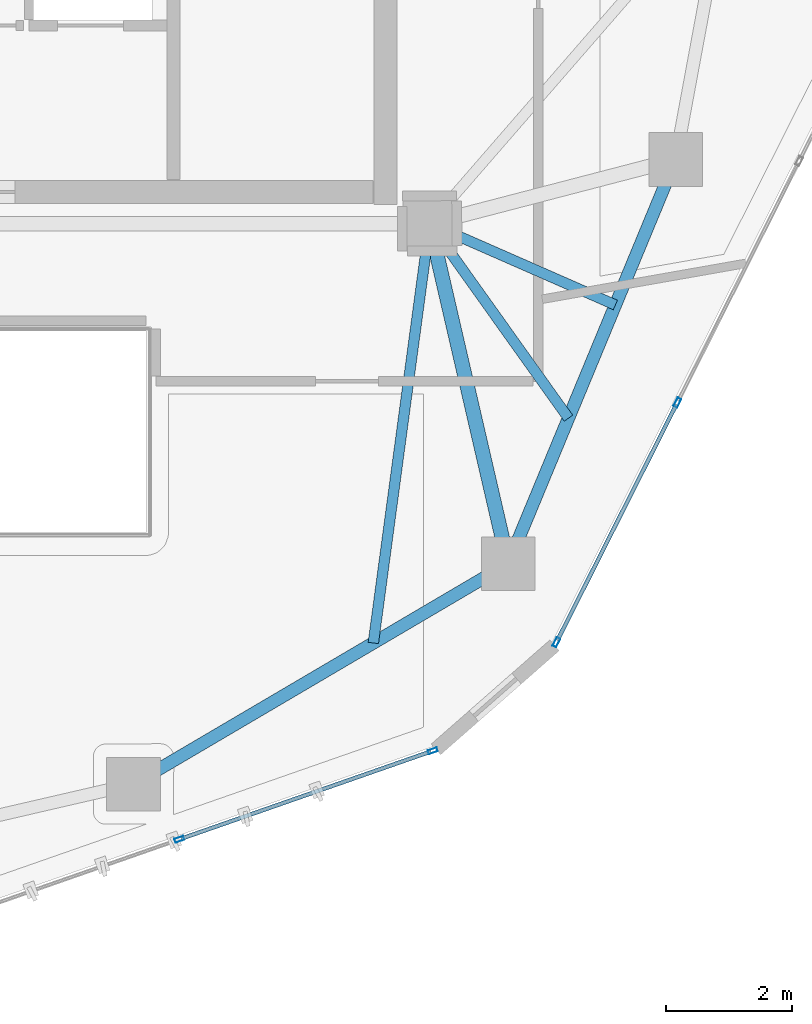
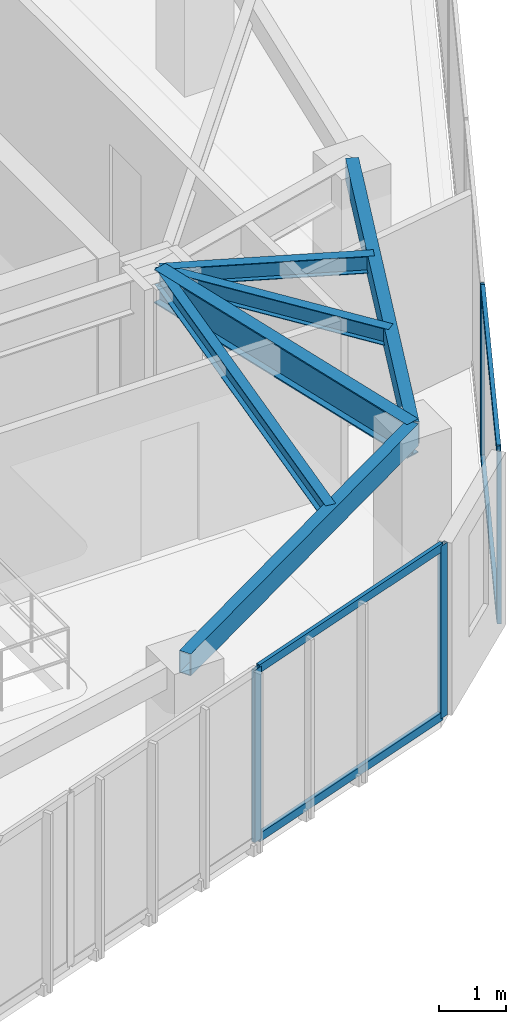
# One storey, part 6 of 20: 8 members, 6 beams, 2 elements without a shape of their own.
"""IFC4 building model written with IfcOpenShell, lengths in metres."""

from ifc_helpers import new_model, si_unit, direction, frame, origin, origin_2d, place, context, subcontext, project, spatial, hollow_rectangle, i_section, extrude, source, transform, mapped, material, layer, layer_set, material_profile, profile_set, type_object, type_shapes, element, aggregate, save


model = new_model("IFC4")

# Units and contexts
model_context = context("Model", 3, precision=1e-05, world=origin(), true_north=direction((0.0, 1.0)))
body_context = subcontext(model_context, "Body", "Model", "MODEL_VIEW")
ifc_project = project(units=[si_unit("LENGTHUNIT", "METRE"), si_unit("AREAUNIT", "SQUARE_METRE"), si_unit("VOLUMEUNIT", "CUBIC_METRE"), si_unit("PLANEANGLEUNIT", "RADIAN"), si_unit("MASSUNIT", "GRAM", prefix="KILO")], contexts=[model_context])

# Site, building, storey
site_placement = place(None, origin())
site = spatial("IfcSite", under=ifc_project, at=site_placement, CompositionType="ELEMENT")
building_placement = place(site_placement, origin())
building = spatial("IfcBuilding", under=site, at=building_placement, Name="Talar Marvaseh", CompositionType="ELEMENT")
storey_placement = place(building_placement, frame((0.0, 0.0, 285.0)))
storey = spatial("IfcBuildingStorey", under=building, at=storey_placement, Name="L76", CompositionType="ELEMENT", Elevation=285.0)

# Beams
ifc_material_1 = material(Name="Steel S355", Category="steel")
ifc_material_profile_1 = material_profile(ifc_material_1, hollow_rectangle(XDim=0.199951171875, YDim=0.39990234375, WallThickness=0.013916015625, at=origin_2d()), Name="RHS400x200x14")
ifc_profile_set_1 = profile_set([ifc_material_profile_1], Name="Steel S355")
beam_type_1 = type_object("IfcBeamType", Name="Zone 3 Perimeter Spandrel Beam RHS400x200x14", PredefinedType="SPANDREL", material=ifc_profile_set_1)
beam_1_placement = place(storey_placement, frame((37.197021484375, 26.513916015625, 2.93994140625), z_axis=(-0.382798740112, -0.923831762048, 0.0), x_axis=(0.923831762048, -0.382798740112, 0.0)))
element("IfcBeam", 1, at=beam_1_placement, inside=storey, type_object=beam_type_1, Name="L76 Zone 3 Perimeter Spandrel Beam RHS400x200x14", PredefinedType="SPANDREL", context=body_context, shape_type="SweptSolid", body=[
    extrude(hollow_rectangle(XDim=0.199951171875, YDim=0.39990234375, WallThickness=0.013916015625, at=origin_2d()), origin(), (0.0, 0.0, 1.0), 6.9306640625),
])
beam_2_placement = place(storey_placement, frame((34.5439453125, 20.111083984375, 2.93994140625), z_axis=(-0.861894136287, -0.507088254482, 0.0), x_axis=(0.507088254482, -0.861894136287, 0.0)))
element("IfcBeam", 2, at=beam_2_placement, inside=storey, type_object=beam_type_1, Name="L76 Zone 3 Perimeter Spandrel Beam RHS400x200x14", PredefinedType="SPANDREL", context=body_context, shape_type="SweptSolid", body=[
    extrude(hollow_rectangle(XDim=0.199951171875, YDim=0.39990234375, WallThickness=0.013916015625, at=origin_2d()), origin(), (0.0, 0.0, 1.0), 6.890625),
])
ifc_material_profile_2 = material_profile(ifc_material_1, i_section(OverallWidth=0.166015625, OverallDepth=0.31298828125, WebThickness=0.006591796875, FlangeThickness=0.01123046875, at=origin_2d()), Name="W310x45")
ifc_profile_set_2 = profile_set([ifc_material_profile_2], Name="Steel S355")
beam_type_2 = type_object("IfcBeamType", Name="Zone 3 Secondary Floor Joist W310x45", PredefinedType="JOIST", material=ifc_profile_set_2)
beam_3_placement = place(storey_placement, frame((36.241943359375, 24.208984375, 2.9833984375), z_axis=(-0.915706783714, 0.401847093135, 0.0), x_axis=(-0.401847093135, -0.915706783714, 0.0)))
element("IfcBeam", 3, at=beam_3_placement, inside=storey, type_object=beam_type_2, Name="L76 Zone 3 Secondary Floor Joist W310x45", PredefinedType="JOIST", context=body_context, shape_type="SweptSolid", body=[
    extrude(i_section(OverallWidth=0.166015625, OverallDepth=0.31298828125, WebThickness=0.006591796875, FlangeThickness=0.01123046875, at=origin_2d()), origin(), (0.0, 0.0, 1.0), 3.212646484375),
])
beam_4_placement = place(storey_placement, frame((35.4990234375, 22.416015625, 2.9833984375), z_axis=(-0.580561197682, 0.814216614757, 0.0), x_axis=(-0.814216614757, -0.580561197682, 0.0)))
element("IfcBeam", 4, at=beam_4_placement, inside=storey, type_object=beam_type_2, Name="L76 Zone 3 Secondary Floor Joist W310x45", PredefinedType="JOIST", context=body_context, shape_type="SweptSolid", body=[
    extrude(i_section(OverallWidth=0.166015625, OverallDepth=0.31298828125, WebThickness=0.006591796875, FlangeThickness=0.01123046875, at=origin_2d()), origin(), (0.0, 0.0, 1.0), 3.78759765625),
])
beam_5_placement = place(storey_placement, frame((32.406005859375, 18.853271484375, 2.9833984375), z_axis=(0.133308183872, 0.991074632968, 0.0), x_axis=(-0.991074632968, 0.133308183872, 0.0)))
element("IfcBeam", 5, at=beam_5_placement, inside=storey, type_object=beam_type_2, Name="L76 Zone 3 Secondary Floor Joist W310x45", PredefinedType="JOIST", context=body_context, shape_type="SweptSolid", body=[
    extrude(i_section(OverallWidth=0.166015625, OverallDepth=0.31298828125, WebThickness=0.006591796875, FlangeThickness=0.01123046875, at=origin_2d()), origin(), (0.0, 0.0, 1.0), 6.70654296875),
])
ifc_material_profile_3 = material_profile(ifc_material_1, i_section(OverallWidth=0.22998046875, OverallDepth=0.616943359375, WebThickness=0.01318359375, FlangeThickness=0.022216796875, at=origin_2d()), Name="W610x140")
ifc_profile_set_3 = profile_set([ifc_material_profile_3], Name="Steel S355")
beam_type_3 = type_object("IfcBeamType", Name="Zone 4 Radial Floor Girder W610x140", PredefinedType="BEAM", material=ifc_profile_set_3)
beam_6_placement = place(storey_placement, frame((34.5439453125, 20.111083984375, 2.83154296875), z_axis=(-0.22491108979, 0.974379290466, 0.0), x_axis=(-0.974379290466, -0.22491108979, 0.0)))
element("IfcBeam", 6, at=beam_6_placement, inside=storey, type_object=beam_type_3, Name="L76 Zone 4 Radial Floor Girder W610x140", PredefinedType="BEAM", context=body_context, shape_type="SweptSolid", body=[
    extrude(i_section(OverallWidth=0.22998046875, OverallDepth=0.616943359375, WebThickness=0.01318359375, FlangeThickness=0.022216796875, at=origin_2d()), origin(), (0.0, 0.0, 1.0), 5.530517578125),
])

# Curtain wall, members
ifc_material_2 = material(Name="Architectural Aluminium", Category="aluminium")
ifc_layer = layer(ifc_material_2, 0.179931640625)
ifc_layer_set = layer_set([ifc_layer], Name="Architectural Aluminium")
curtain_wall_type = type_object("IfcCurtainWallType", Name="Unitised High-Wind Sky Curtain Wall Z4", PredefinedType="NOTDEFINED", material=ifc_layer_set)
curtain_wall_1_placement = place(storey_placement, origin())
curtain_wall_1 = element("IfcCurtainWall", 7, at=curtain_wall_1_placement, inside=storey, type_object=curtain_wall_type, Name="L76 Unitised High-Wind Sky Curtain Wall Z4", PredefinedType="NOTDEFINED")
ifc_material_profile_4 = material_profile(ifc_material_2, hollow_rectangle(XDim=0.06494140625, YDim=0.14990234375, WallThickness=0.00390625, at=origin_2d()), Name="RHS150x65x4")
ifc_profile_set_4 = profile_set([ifc_material_profile_4], Name="Architectural Aluminium")
member_type_1 = type_object("IfcMemberType", Name="Unitised Curtain Wall Slim Mullion RHS150x65x4", PredefinedType="MULLION", material=ifc_profile_set_4)
shared_shape_1 = source(origin(), body_context, "Body", "SweptSolid", [
    extrude(hollow_rectangle(XDim=0.06494140625, YDim=0.14990234375, WallThickness=0.00390625, at=origin_2d()), origin(), (0.0, 0.0, 1.0), 3.139892578125),
])
type_shapes(member_type_1, [shared_shape_1])
member_1_placement = place(storey_placement, frame((37.223388671875, 22.661865234375, 0.0), z_axis=(0.0, 0.0, 1.0), x_axis=(0.89290909223, -0.450236996494, 0.0)))
member_1 = element("IfcMember", 8, at=member_1_placement, type_object=member_type_1, Name="CW-Z4 mullion 4", PredefinedType="MULLION", context=body_context, shape_type="MappedRepresentation", body=[
    mapped(shared_shape_1, transform((0.0, 0.0, 0.0), x_axis=(1.0, 0.0, 0.0), y_axis=(0.0, 1.0, 0.0), z_axis=(0.0, 0.0, 1.0), scale=1.0)),
])
member_2_placement = place(storey_placement, frame((35.30810546875, 18.863525390625, 0.0), z_axis=(0.0, 0.0, 1.0), x_axis=(0.89290909223, -0.450236996494, 0.0)))
member_2 = element("IfcMember", 9, at=member_2_placement, type_object=member_type_1, Name="CW-Z4 mullion 5", PredefinedType="MULLION", context=body_context, shape_type="MappedRepresentation", body=[
    mapped(shared_shape_1, transform((0.0, 0.0, 0.0), x_axis=(1.0, 0.0, 0.0), y_axis=(0.0, 1.0, 0.0), z_axis=(0.0, 0.0, 1.0), scale=1.0)),
])

curtain_wall_2_placement = place(storey_placement, origin())
curtain_wall_2 = element("IfcCurtainWall", 10, at=curtain_wall_2_placement, inside=storey, type_object=curtain_wall_type, Name="L76 Unitised High-Wind Sky Curtain Wall Z4", PredefinedType="NOTDEFINED")
member_3_placement = place(storey_placement, frame((33.34765625, 17.144287109375, 0.0), z_axis=(0.0, 0.0, 1.0), x_axis=(0.329838044597, -0.94403753333, 0.0)))
member_3 = element("IfcMember", 11, at=member_3_placement, type_object=member_type_1, Name="CW-Z4 mullion 1", PredefinedType="MULLION", context=body_context, shape_type="MappedRepresentation", body=[
    mapped(shared_shape_1, transform((0.0, 0.0, 0.0), x_axis=(1.0, 0.0, 0.0), y_axis=(0.0, 1.0, 0.0), z_axis=(0.0, 0.0, 1.0), scale=1.0)),
])
member_4_placement = place(storey_placement, frame((29.331787109375, 15.7412109375, 0.0), z_axis=(0.0, 0.0, 1.0), x_axis=(0.329838044597, -0.94403753333, 0.0)))
member_4 = element("IfcMember", 12, at=member_4_placement, type_object=member_type_1, Name="CW-Z4 mullion 2", PredefinedType="MULLION", context=body_context, shape_type="MappedRepresentation", body=[
    mapped(shared_shape_1, transform((0.0, 0.0, 0.0), x_axis=(1.0, 0.0, 0.0), y_axis=(0.0, 1.0, 0.0), z_axis=(0.0, 0.0, 1.0), scale=1.0)),
])

# Member
ifc_material_profile_5 = material_profile(ifc_material_2, hollow_rectangle(XDim=0.06494140625, YDim=0.14990234375, WallThickness=0.00390625, at=origin_2d()), Name="RHS150x65x4")
ifc_profile_set_5 = profile_set([ifc_material_profile_5], Name="Architectural Aluminium")
member_type_2 = type_object("IfcMemberType", Name="Unitised Curtain Wall Slim Transom RHS150x65x4", PredefinedType="USERDEFINED", material=ifc_profile_set_5)
shared_shape_2 = source(origin(), body_context, "Body", "SweptSolid", [
    extrude(hollow_rectangle(XDim=0.06494140625, YDim=0.14990234375, WallThickness=0.00390625, at=origin_2d()), origin(), (0.0, 0.0, 1.0), 4.188720703125),
])
type_shapes(member_type_2, [shared_shape_2])
member_5_placement = place(storey_placement, frame((37.208740234375, 22.6328125, 0.032470703125), z_axis=(-0.450241781818, -0.892906679281, 0.0), x_axis=(0.892906679281, -0.450241781818, 0.0)))
member_5 = element("IfcMember", 13, at=member_5_placement, type_object=member_type_2, Name="CW-Z4 transom 4.1", ObjectType="TRANSOM", PredefinedType="USERDEFINED", context=body_context, shape_type="MappedRepresentation", body=[
    mapped(shared_shape_2, transform((0.0, 0.0, 0.0), x_axis=(1.0, 0.0, 0.0), y_axis=(0.0, 1.0, 0.0), z_axis=(0.0, 0.0, 1.0), scale=1.0)),
])

member_6_placement = place(storey_placement, frame((37.208740234375, 22.6328125, 3.107421875), z_axis=(-0.450241781818, -0.892906679281, 0.0), x_axis=(0.892906679281, -0.450241781818, 0.0)))
member_6 = element("IfcMember", 14, at=member_6_placement, type_object=member_type_2, Name="CW-Z4 transom 4.2", ObjectType="TRANSOM", PredefinedType="USERDEFINED", context=body_context, shape_type="MappedRepresentation", body=[
    mapped(shared_shape_2, transform((0.0, 0.0, 0.0), x_axis=(1.0, 0.0, 0.0), y_axis=(0.0, 1.0, 0.0), z_axis=(0.0, 0.0, 1.0), scale=1.0)),
])

aggregate(curtain_wall_1, [member_1, member_2, member_5, member_6])

member_7_placement = place(storey_placement, frame((33.31689453125, 17.133544921875, 0.032470703125), z_axis=(-0.944039040664, -0.329833730389, 0.0), x_axis=(0.329833730389, -0.944039040664, 0.0)))
member_7 = element("IfcMember", 15, at=member_7_placement, type_object=member_type_2, Name="CW-Z4 transom 1.1", ObjectType="TRANSOM", PredefinedType="USERDEFINED", context=body_context, shape_type="MappedRepresentation", body=[
    mapped(shared_shape_2, transform((0.0, 0.0, 0.0), x_axis=(1.0, 0.0, 0.0), y_axis=(0.0, 1.0, 0.0), z_axis=(0.0, 0.0, 1.0), scale=1.0)),
])

member_8_placement = place(storey_placement, frame((33.31689453125, 17.133544921875, 3.107421875), z_axis=(-0.944039040664, -0.329833730389, 0.0), x_axis=(0.329833730389, -0.944039040664, 0.0)))
member_8 = element("IfcMember", 16, at=member_8_placement, type_object=member_type_2, Name="CW-Z4 transom 1.2", ObjectType="TRANSOM", PredefinedType="USERDEFINED", context=body_context, shape_type="MappedRepresentation", body=[
    mapped(shared_shape_2, transform((0.0, 0.0, 0.0), x_axis=(1.0, 0.0, 0.0), y_axis=(0.0, 1.0, 0.0), z_axis=(0.0, 0.0, 1.0), scale=1.0)),
])

aggregate(curtain_wall_2, [member_3, member_4, member_7, member_8])

save(model, "model.ifc")
